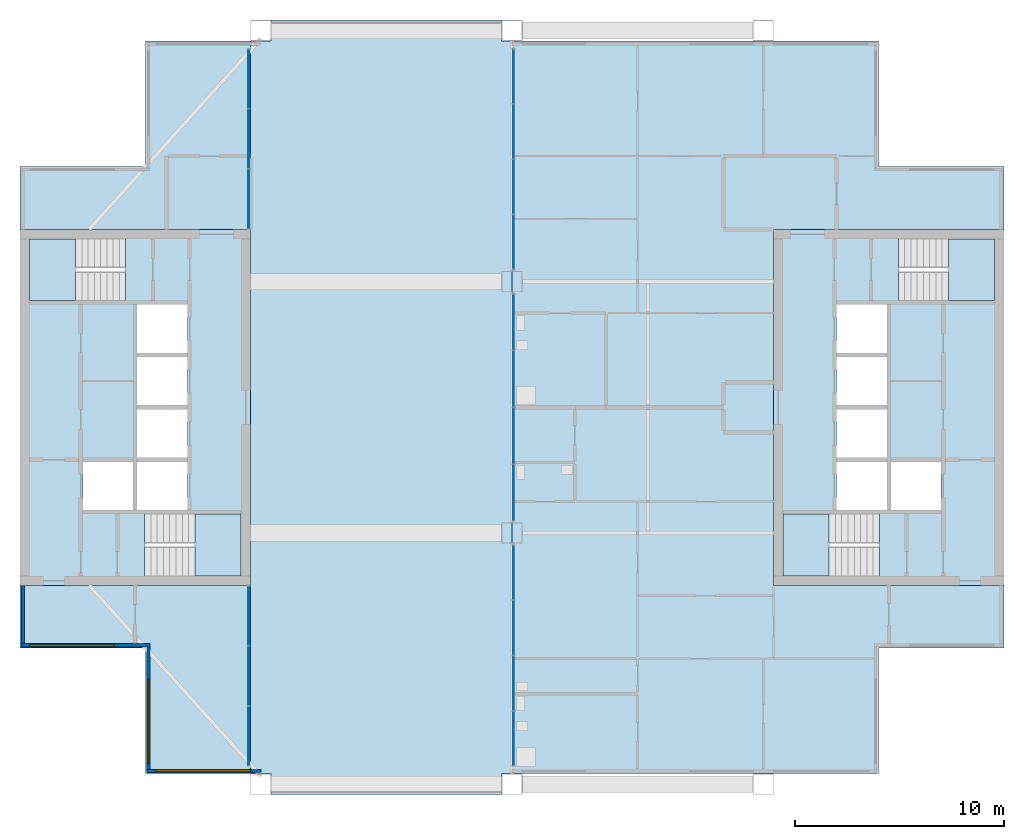
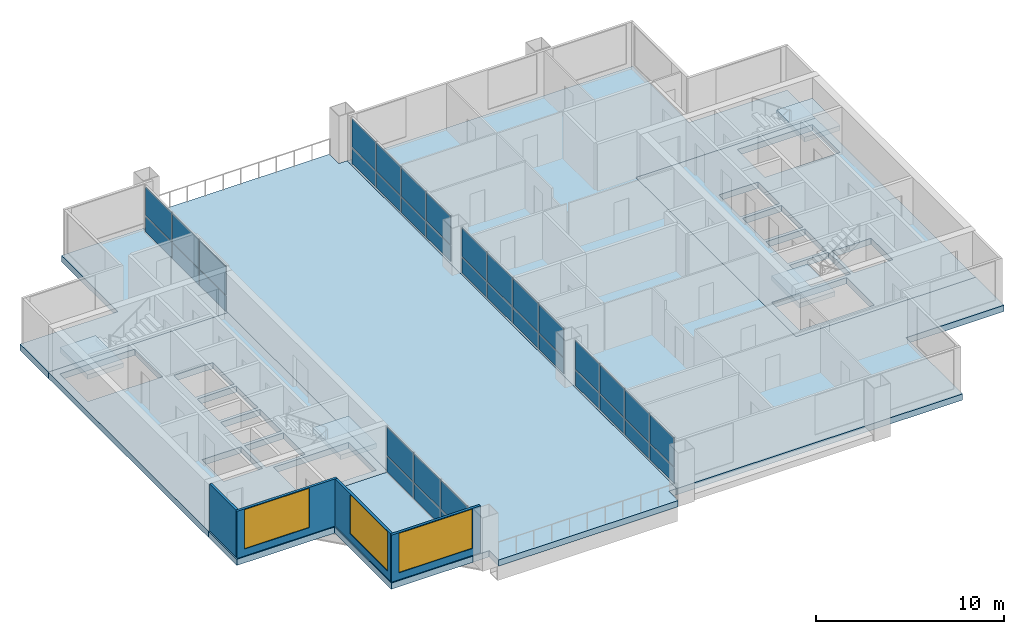
# One storey, part 6 of 12: 36 plates, 10 slabs, 4 walls, 3 windows, 3 openings, 9 elements without a shape of their own.
"""IFC4 building model written with IfcOpenShell, lengths in metres."""

from ifc_helpers import new_model, si_unit, direction, frame, frame_2d, origin, origin_2d, place, context, subcontext, project, spatial, polyline, rectangle, outline, extrude, material, layer, layer_set, type_object, element, fill, aggregate, save


model = new_model("IFC4")

# Units and contexts
model_context = context("Model", 3, precision=1e-05, world=origin(), true_north=direction((0.0, 1.0)))
body_context = subcontext(model_context, "Body", "Model", "MODEL_VIEW")
ifc_project = project(units=[si_unit("LENGTHUNIT", "METRE"), si_unit("AREAUNIT", "SQUARE_METRE"), si_unit("VOLUMEUNIT", "CUBIC_METRE"), si_unit("PLANEANGLEUNIT", "RADIAN"), si_unit("MASSUNIT", "GRAM", prefix="KILO")], contexts=[model_context])

# Site, building, storey
site_placement = place(None, origin())
site = spatial("IfcSite", under=ifc_project, at=site_placement, CompositionType="ELEMENT")
building_placement = place(site_placement, origin())
building = spatial("IfcBuilding", under=site, at=building_placement, Name="Kitamizu Gate Tower and Museum", CompositionType="ELEMENT")
storey_placement = place(building_placement, frame((0.0, 0.0, 249.0)))
storey = spatial("IfcBuildingStorey", under=building, at=storey_placement, Name="L67", CompositionType="ELEMENT", Elevation=249.0)

# Slabs
ifc_material_1 = material(Name="Concrete Fc36", Category="concrete")
ifc_layer_1 = layer(ifc_material_1, 0.39990234375)
ifc_layer_set_1 = layer_set([ifc_layer_1], Name="Concrete Fc36")
slab_type_1 = type_object("IfcSlabType", Name="Core floor slab 400", PredefinedType="FLOOR", material=ifc_layer_set_1)
slab_1_placement = place(storey_placement, frame((0.0, 0.0, -0.39990234375)))
element("IfcSlab", 1, at=slab_1_placement, inside=storey, type_object=slab_type_1, Name="Core floor slab W", PredefinedType="FLOOR", context=body_context, shape_type="SweptSolid", body=[
    extrude(outline(polyline([(12.5, 21.5), (23.5, 21.5), (23.5, 38.5), (12.5, 38.5), (12.5, 21.5)]), holes=[polyline([(15.5, 25.10009765625), (17.89990234375, 25.10009765625), (17.89990234375, 27.39990234375), (15.5, 27.39990234375), (15.5, 25.10009765625)]), polyline([(18.10009765625, 25.10009765625), (20.5, 25.10009765625), (20.5, 27.39990234375), (18.10009765625, 27.39990234375), (18.10009765625, 25.10009765625)]), polyline([(18.10009765625, 27.60009765625), (20.5, 27.60009765625), (20.5, 29.89990234375), (18.10009765625, 29.89990234375), (18.10009765625, 27.60009765625)]), polyline([(18.10009765625, 30.10009765625), (20.5, 30.10009765625), (20.5, 32.39990234375), (18.10009765625, 32.39990234375), (18.10009765625, 30.10009765625)]), polyline([(18.10009765625, 32.60009765625), (20.5, 32.60009765625), (20.5, 34.89990234375), (18.10009765625, 34.89990234375), (18.10009765625, 32.60009765625)]), polyline([(18.45068359375, 21.949951171875), (23.050048828125, 21.949951171875), (23.050048828125, 24.89990234375), (18.45068359375, 24.89990234375), (18.45068359375, 21.949951171875)]), polyline([(12.949951171875, 35.10009765625), (17.54931640625, 35.10009765625), (17.54931640625, 38.050048828125), (12.949951171875, 38.050048828125), (12.949951171875, 35.10009765625)])]), origin(), (0.0, 0.0, 1.0), 0.39990234375),
])
slab_2_placement = place(storey_placement, frame((0.0, 0.0, -0.39990234375)))
element("IfcSlab", 2, at=slab_2_placement, inside=storey, type_object=slab_type_1, Name="Core floor slab E", PredefinedType="FLOOR", context=body_context, shape_type="SweptSolid", body=[
    extrude(outline(polyline([(48.5, 21.5), (59.5, 21.5), (59.5, 38.5), (48.5, 38.5), (48.5, 21.5)]), holes=[polyline([(54.10009765625, 25.10009765625), (56.5, 25.10009765625), (56.5, 27.39990234375), (54.10009765625, 27.39990234375), (54.10009765625, 25.10009765625)]), polyline([(51.5, 25.10009765625), (53.89990234375, 25.10009765625), (53.89990234375, 27.39990234375), (51.5, 27.39990234375), (51.5, 25.10009765625)]), polyline([(51.5, 27.60009765625), (53.89990234375, 27.60009765625), (53.89990234375, 29.89990234375), (51.5, 29.89990234375), (51.5, 27.60009765625)]), polyline([(51.5, 30.10009765625), (53.89990234375, 30.10009765625), (53.89990234375, 32.39990234375), (51.5, 32.39990234375), (51.5, 30.10009765625)]), polyline([(51.5, 32.60009765625), (53.89990234375, 32.60009765625), (53.89990234375, 34.89990234375), (51.5, 34.89990234375), (51.5, 32.60009765625)]), polyline([(48.949951171875, 21.949951171875), (53.54931640625, 21.949951171875), (53.54931640625, 24.89990234375), (48.949951171875, 24.89990234375), (48.949951171875, 21.949951171875)]), polyline([(54.45068359375, 35.10009765625), (59.050048828125, 35.10009765625), (59.050048828125, 38.050048828125), (54.45068359375, 38.050048828125), (54.45068359375, 35.10009765625)])]), origin(), (0.0, 0.0, 1.0), 0.39990234375),
])

# Curtain wall, plates
ifc_material_2 = material(Name="Bronze anodised aluminium frame, tinted triple glazing", Category="aluminium")
curtain_wall_type = type_object("IfcCurtainWallType", Name="CURTAIN WALL TYPE C SKY AMENITY", PredefinedType="NOTDEFINED", material=ifc_material_2)
curtain_wall_1_placement = place(storey_placement, origin())
curtain_wall_1 = element("IfcCurtainWall", 3, at=curtain_wall_1_placement, inside=storey, type_object=curtain_wall_type, Name="Curtain wall CW-C portal W L67", PredefinedType="NOTDEFINED")
ifc_material_3 = material(Name="Tinted insulating glass", Category="glass")
ifc_layer_2 = layer(ifc_material_3, 0.031982421875)
ifc_layer_set_2 = layer_set([ifc_layer_2], Name="Tinted insulating glass")
plate_type = type_object("IfcPlateType", Name="GLASS PANEL 32 TYPE C", PredefinedType="CURTAIN_PANEL", material=ifc_layer_set_2)
plate_1_placement = place(storey_placement, frame((23.425048828125, 14.306640625, 0.06005859375), z_axis=(0.0, 0.0, 1.0), x_axis=(0.0, 1.0, 0.0)))
plate_1 = element("IfcPlate", 4, at=plate_1_placement, type_object=plate_type, Name="CW-C panel 1.1", PredefinedType="CURTAIN_PANEL", context=body_context, shape_type="SweptSolid", body=[
    extrude(rectangle(XDim=2.793212890625, YDim=0.031982421875, at=origin_2d()), origin(), (0.0, 0.0, 1.0), 1.010009765625),
])
plate_2_placement = place(storey_placement, frame((23.425048828125, 14.306640625, 1.1298828125), z_axis=(0.0, 0.0, 1.0), x_axis=(0.0, 1.0, 0.0)))
plate_2 = element("IfcPlate", 5, at=plate_2_placement, type_object=plate_type, Name="CW-C panel 1.2", PredefinedType="CURTAIN_PANEL", context=body_context, shape_type="SweptSolid", body=[
    extrude(rectangle(XDim=2.793212890625, YDim=0.031982421875, at=origin_2d()), origin(), (0.0, 0.0, 1.0), 1.860107421875),
])
plate_3_placement = place(storey_placement, frame((23.425048828125, 17.175048828125, 0.06005859375), z_axis=(0.0, 0.0, 1.0), x_axis=(0.0, 1.0, 0.0)))
plate_3 = element("IfcPlate", 6, at=plate_3_placement, type_object=plate_type, Name="CW-C panel 2.1", PredefinedType="CURTAIN_PANEL", context=body_context, shape_type="SweptSolid", body=[
    extrude(rectangle(XDim=2.8232421875, YDim=0.031982421875, at=origin_2d()), origin(), (0.0, 0.0, 1.0), 1.010009765625),
])
plate_4_placement = place(storey_placement, frame((23.425048828125, 17.175048828125, 1.1298828125), z_axis=(0.0, 0.0, 1.0), x_axis=(0.0, 1.0, 0.0)))
plate_4 = element("IfcPlate", 7, at=plate_4_placement, type_object=plate_type, Name="CW-C panel 2.2", PredefinedType="CURTAIN_PANEL", context=body_context, shape_type="SweptSolid", body=[
    extrude(rectangle(XDim=2.8232421875, YDim=0.031982421875, at=origin_2d()), origin(), (0.0, 0.0, 1.0), 1.860107421875),
])
plate_5_placement = place(storey_placement, frame((23.425048828125, 20.043212890625, 0.06005859375), z_axis=(0.0, 0.0, 1.0), x_axis=(0.0, 1.0, 0.0)))
plate_5 = element("IfcPlate", 8, at=plate_5_placement, type_object=plate_type, Name="CW-C panel 3.1", PredefinedType="CURTAIN_PANEL", context=body_context, shape_type="SweptSolid", body=[
    extrude(rectangle(XDim=2.793212890625, YDim=0.031982421875, at=origin_2d()), origin(), (0.0, 0.0, 1.0), 1.010009765625),
])
plate_6_placement = place(storey_placement, frame((23.425048828125, 20.043212890625, 1.1298828125), z_axis=(0.0, 0.0, 1.0), x_axis=(0.0, 1.0, 0.0)))
plate_6 = element("IfcPlate", 9, at=plate_6_placement, type_object=plate_type, Name="CW-C panel 3.2", PredefinedType="CURTAIN_PANEL", context=body_context, shape_type="SweptSolid", body=[
    extrude(rectangle(XDim=2.793212890625, YDim=0.031982421875, at=origin_2d()), origin(), (0.0, 0.0, 1.0), 1.860107421875),
])
aggregate(curtain_wall_1, [plate_1, plate_2, plate_3, plate_4, plate_5, plate_6])

curtain_wall_2_placement = place(storey_placement, origin())
curtain_wall_2 = element("IfcCurtainWall", 10, at=curtain_wall_2_placement, inside=storey, type_object=curtain_wall_type, Name="Curtain wall CW-C portal W L67", PredefinedType="NOTDEFINED")
plate_7_placement = place(storey_placement, frame((23.425048828125, 39.956787109375, 0.06005859375), z_axis=(0.0, 0.0, 1.0), x_axis=(0.0, 1.0, 0.0)))
plate_7 = element("IfcPlate", 11, at=plate_7_placement, type_object=plate_type, Name="CW-C panel 1.1", PredefinedType="CURTAIN_PANEL", context=body_context, shape_type="SweptSolid", body=[
    extrude(rectangle(XDim=2.793212890625, YDim=0.031982421875, at=origin_2d()), origin(), (0.0, 0.0, 1.0), 1.010009765625),
])
plate_8_placement = place(storey_placement, frame((23.425048828125, 39.956787109375, 1.1298828125), z_axis=(0.0, 0.0, 1.0), x_axis=(0.0, 1.0, 0.0)))
plate_8 = element("IfcPlate", 12, at=plate_8_placement, type_object=plate_type, Name="CW-C panel 1.2", PredefinedType="CURTAIN_PANEL", context=body_context, shape_type="SweptSolid", body=[
    extrude(rectangle(XDim=2.793212890625, YDim=0.031982421875, at=origin_2d()), origin(), (0.0, 0.0, 1.0), 1.860107421875),
])
plate_9_placement = place(storey_placement, frame((23.425048828125, 42.824951171875, 0.06005859375), z_axis=(0.0, 0.0, 1.0), x_axis=(0.0, 1.0, 0.0)))
plate_9 = element("IfcPlate", 13, at=plate_9_placement, type_object=plate_type, Name="CW-C panel 2.1", PredefinedType="CURTAIN_PANEL", context=body_context, shape_type="SweptSolid", body=[
    extrude(rectangle(XDim=2.8232421875, YDim=0.031982421875, at=origin_2d()), origin(), (0.0, 0.0, 1.0), 1.010009765625),
])
plate_10_placement = place(storey_placement, frame((23.425048828125, 42.824951171875, 1.1298828125), z_axis=(0.0, 0.0, 1.0), x_axis=(0.0, 1.0, 0.0)))
plate_10 = element("IfcPlate", 14, at=plate_10_placement, type_object=plate_type, Name="CW-C panel 2.2", PredefinedType="CURTAIN_PANEL", context=body_context, shape_type="SweptSolid", body=[
    extrude(rectangle(XDim=2.8232421875, YDim=0.031982421875, at=origin_2d()), origin(), (0.0, 0.0, 1.0), 1.860107421875),
])
plate_11_placement = place(storey_placement, frame((23.425048828125, 45.693359375, 0.06005859375), z_axis=(0.0, 0.0, 1.0), x_axis=(0.0, 1.0, 0.0)))
plate_11 = element("IfcPlate", 15, at=plate_11_placement, type_object=plate_type, Name="CW-C panel 3.1", PredefinedType="CURTAIN_PANEL", context=body_context, shape_type="SweptSolid", body=[
    extrude(rectangle(XDim=2.793212890625, YDim=0.031982421875, at=origin_2d()), origin(), (0.0, 0.0, 1.0), 1.010009765625),
])
plate_12_placement = place(storey_placement, frame((23.425048828125, 45.693359375, 1.1298828125), z_axis=(0.0, 0.0, 1.0), x_axis=(0.0, 1.0, 0.0)))
plate_12 = element("IfcPlate", 16, at=plate_12_placement, type_object=plate_type, Name="CW-C panel 3.2", PredefinedType="CURTAIN_PANEL", context=body_context, shape_type="SweptSolid", body=[
    extrude(rectangle(XDim=2.793212890625, YDim=0.031982421875, at=origin_2d()), origin(), (0.0, 0.0, 1.0), 1.860107421875),
])
aggregate(curtain_wall_2, [plate_7, plate_8, plate_9, plate_10, plate_11, plate_12])

curtain_wall_3_placement = place(storey_placement, origin())
curtain_wall_3 = element("IfcCurtainWall", 17, at=curtain_wall_3_placement, inside=storey, type_object=curtain_wall_type, Name="Curtain wall CW-C portal E L67", PredefinedType="NOTDEFINED")
plate_13_placement = place(storey_placement, frame((36.074951171875, 14.189453125, 0.06005859375), z_axis=(0.0, 0.0, 1.0), x_axis=(0.0, 1.0, 0.0)))
plate_13 = element("IfcPlate", 18, at=plate_13_placement, type_object=plate_type, Name="CW-C panel 1.1", PredefinedType="CURTAIN_PANEL", context=body_context, shape_type="SweptSolid", body=[
    extrude(rectangle(XDim=2.558837890625, YDim=0.031982421875, at=origin_2d()), origin(), (0.0, 0.0, 1.0), 1.010009765625),
])
plate_14_placement = place(storey_placement, frame((36.074951171875, 14.189453125, 1.1298828125), z_axis=(0.0, 0.0, 1.0), x_axis=(0.0, 1.0, 0.0)))
plate_14 = element("IfcPlate", 19, at=plate_14_placement, type_object=plate_type, Name="CW-C panel 1.2", PredefinedType="CURTAIN_PANEL", context=body_context, shape_type="SweptSolid", body=[
    extrude(rectangle(XDim=2.558837890625, YDim=0.031982421875, at=origin_2d()), origin(), (0.0, 0.0, 1.0), 1.860107421875),
])
plate_15_placement = place(storey_placement, frame((36.074951171875, 16.8232421875, 0.06005859375), z_axis=(0.0, 0.0, 1.0), x_axis=(0.0, 1.0, 0.0)))
plate_15 = element("IfcPlate", 20, at=plate_15_placement, type_object=plate_type, Name="CW-C panel 2.1", PredefinedType="CURTAIN_PANEL", context=body_context, shape_type="SweptSolid", body=[
    extrude(rectangle(XDim=2.5888671875, YDim=0.031982421875, at=origin_2d()), origin(), (0.0, 0.0, 1.0), 1.010009765625),
])
plate_16_placement = place(storey_placement, frame((36.074951171875, 16.8232421875, 1.1298828125), z_axis=(0.0, 0.0, 1.0), x_axis=(0.0, 1.0, 0.0)))
plate_16 = element("IfcPlate", 21, at=plate_16_placement, type_object=plate_type, Name="CW-C panel 2.2", PredefinedType="CURTAIN_PANEL", context=body_context, shape_type="SweptSolid", body=[
    extrude(rectangle(XDim=2.5888671875, YDim=0.031982421875, at=origin_2d()), origin(), (0.0, 0.0, 1.0), 1.860107421875),
])
plate_17_placement = place(storey_placement, frame((36.074951171875, 19.471923828125, 0.06005859375), z_axis=(0.0, 0.0, 1.0), x_axis=(0.0, 1.0, 0.0)))
plate_17 = element("IfcPlate", 22, at=plate_17_placement, type_object=plate_type, Name="CW-C panel 3.1", PredefinedType="CURTAIN_PANEL", context=body_context, shape_type="SweptSolid", body=[
    extrude(rectangle(XDim=2.5888671875, YDim=0.031982421875, at=origin_2d()), origin(), (0.0, 0.0, 1.0), 1.010009765625),
])
plate_18_placement = place(storey_placement, frame((36.074951171875, 19.471923828125, 1.1298828125), z_axis=(0.0, 0.0, 1.0), x_axis=(0.0, 1.0, 0.0)))
plate_18 = element("IfcPlate", 23, at=plate_18_placement, type_object=plate_type, Name="CW-C panel 3.2", PredefinedType="CURTAIN_PANEL", context=body_context, shape_type="SweptSolid", body=[
    extrude(rectangle(XDim=2.5888671875, YDim=0.031982421875, at=origin_2d()), origin(), (0.0, 0.0, 1.0), 1.860107421875),
])
plate_19_placement = place(storey_placement, frame((36.074951171875, 22.105712890625, 0.06005859375), z_axis=(0.0, 0.0, 1.0), x_axis=(0.0, 1.0, 0.0)))
plate_19 = element("IfcPlate", 24, at=plate_19_placement, type_object=plate_type, Name="CW-C panel 4.1", PredefinedType="CURTAIN_PANEL", context=body_context, shape_type="SweptSolid", body=[
    extrude(rectangle(XDim=2.558837890625, YDim=0.031982421875, at=origin_2d()), origin(), (0.0, 0.0, 1.0), 1.010009765625),
])
plate_20_placement = place(storey_placement, frame((36.074951171875, 22.105712890625, 1.1298828125), z_axis=(0.0, 0.0, 1.0), x_axis=(0.0, 1.0, 0.0)))
plate_20 = element("IfcPlate", 25, at=plate_20_placement, type_object=plate_type, Name="CW-C panel 4.2", PredefinedType="CURTAIN_PANEL", context=body_context, shape_type="SweptSolid", body=[
    extrude(rectangle(XDim=2.558837890625, YDim=0.031982421875, at=origin_2d()), origin(), (0.0, 0.0, 1.0), 1.860107421875),
])
aggregate(curtain_wall_3, [plate_13, plate_14, plate_15, plate_16, plate_17, plate_18, plate_19, plate_20])

curtain_wall_4_placement = place(storey_placement, origin())
curtain_wall_4 = element("IfcCurtainWall", 26, at=curtain_wall_4_placement, inside=storey, type_object=curtain_wall_type, Name="Curtain wall CW-C portal E L67", PredefinedType="NOTDEFINED")
plate_21_placement = place(storey_placement, frame((36.074951171875, 25.93115234375, 0.06005859375), z_axis=(0.0, 0.0, 1.0), x_axis=(0.0, 1.0, 0.0)))
plate_21 = element("IfcPlate", 27, at=plate_21_placement, type_object=plate_type, Name="CW-C panel 1.1", PredefinedType="CURTAIN_PANEL", context=body_context, shape_type="SweptSolid", body=[
    extrude(rectangle(XDim=2.632568359375, YDim=0.031982421875, at=origin_2d()), origin(), (0.0, 0.0, 1.0), 1.010009765625),
])
plate_22_placement = place(storey_placement, frame((36.074951171875, 25.93115234375, 1.1298828125), z_axis=(0.0, 0.0, 1.0), x_axis=(0.0, 1.0, 0.0)))
plate_22 = element("IfcPlate", 28, at=plate_22_placement, type_object=plate_type, Name="CW-C panel 1.2", PredefinedType="CURTAIN_PANEL", context=body_context, shape_type="SweptSolid", body=[
    extrude(rectangle(XDim=2.632568359375, YDim=0.031982421875, at=origin_2d()), origin(), (0.0, 0.0, 1.0), 1.860107421875),
])
plate_23_placement = place(storey_placement, frame((36.074951171875, 28.638671875, 0.06005859375), z_axis=(0.0, 0.0, 1.0), x_axis=(0.0, 1.0, 0.0)))
plate_23 = element("IfcPlate", 29, at=plate_23_placement, type_object=plate_type, Name="CW-C panel 2.1", PredefinedType="CURTAIN_PANEL", context=body_context, shape_type="SweptSolid", body=[
    extrude(rectangle(XDim=2.66259765625, YDim=0.031982421875, at=origin_2d()), origin(), (0.0, 0.0, 1.0), 1.010009765625),
])
plate_24_placement = place(storey_placement, frame((36.074951171875, 28.638671875, 1.1298828125), z_axis=(0.0, 0.0, 1.0), x_axis=(0.0, 1.0, 0.0)))
plate_24 = element("IfcPlate", 30, at=plate_24_placement, type_object=plate_type, Name="CW-C panel 2.2", PredefinedType="CURTAIN_PANEL", context=body_context, shape_type="SweptSolid", body=[
    extrude(rectangle(XDim=2.66259765625, YDim=0.031982421875, at=origin_2d()), origin(), (0.0, 0.0, 1.0), 1.860107421875),
])
plate_25_placement = place(storey_placement, frame((36.074951171875, 31.361328125, 0.06005859375), z_axis=(0.0, 0.0, 1.0), x_axis=(0.0, 1.0, 0.0)))
plate_25 = element("IfcPlate", 31, at=plate_25_placement, type_object=plate_type, Name="CW-C panel 3.1", PredefinedType="CURTAIN_PANEL", context=body_context, shape_type="SweptSolid", body=[
    extrude(rectangle(XDim=2.66259765625, YDim=0.031982421875, at=origin_2d()), origin(), (0.0, 0.0, 1.0), 1.010009765625),
])
plate_26_placement = place(storey_placement, frame((36.074951171875, 31.361328125, 1.1298828125), z_axis=(0.0, 0.0, 1.0), x_axis=(0.0, 1.0, 0.0)))
plate_26 = element("IfcPlate", 32, at=plate_26_placement, type_object=plate_type, Name="CW-C panel 3.2", PredefinedType="CURTAIN_PANEL", context=body_context, shape_type="SweptSolid", body=[
    extrude(rectangle(XDim=2.66259765625, YDim=0.031982421875, at=origin_2d()), origin(), (0.0, 0.0, 1.0), 1.860107421875),
])
plate_27_placement = place(storey_placement, frame((36.074951171875, 34.06884765625, 0.06005859375), z_axis=(0.0, 0.0, 1.0), x_axis=(0.0, 1.0, 0.0)))
plate_27 = element("IfcPlate", 33, at=plate_27_placement, type_object=plate_type, Name="CW-C panel 4.1", PredefinedType="CURTAIN_PANEL", context=body_context, shape_type="SweptSolid", body=[
    extrude(rectangle(XDim=2.632568359375, YDim=0.031982421875, at=origin_2d()), origin(), (0.0, 0.0, 1.0), 1.010009765625),
])
plate_28_placement = place(storey_placement, frame((36.074951171875, 34.06884765625, 1.1298828125), z_axis=(0.0, 0.0, 1.0), x_axis=(0.0, 1.0, 0.0)))
plate_28 = element("IfcPlate", 34, at=plate_28_placement, type_object=plate_type, Name="CW-C panel 4.2", PredefinedType="CURTAIN_PANEL", context=body_context, shape_type="SweptSolid", body=[
    extrude(rectangle(XDim=2.632568359375, YDim=0.031982421875, at=origin_2d()), origin(), (0.0, 0.0, 1.0), 1.860107421875),
])
aggregate(curtain_wall_4, [plate_21, plate_22, plate_23, plate_24, plate_25, plate_26, plate_27, plate_28])

curtain_wall_5_placement = place(storey_placement, origin())
curtain_wall_5 = element("IfcCurtainWall", 35, at=curtain_wall_5_placement, inside=storey, type_object=curtain_wall_type, Name="Curtain wall CW-C portal E L67", PredefinedType="NOTDEFINED")
plate_29_placement = place(storey_placement, frame((36.074951171875, 37.894287109375, 0.06005859375), z_axis=(0.0, 0.0, 1.0), x_axis=(0.0, 1.0, 0.0)))
plate_29 = element("IfcPlate", 36, at=plate_29_placement, type_object=plate_type, Name="CW-C panel 1.1", PredefinedType="CURTAIN_PANEL", context=body_context, shape_type="SweptSolid", body=[
    extrude(rectangle(XDim=2.558837890625, YDim=0.031982421875, at=origin_2d()), origin(), (0.0, 0.0, 1.0), 1.010009765625),
])
plate_30_placement = place(storey_placement, frame((36.074951171875, 37.894287109375, 1.1298828125), z_axis=(0.0, 0.0, 1.0), x_axis=(0.0, 1.0, 0.0)))
plate_30 = element("IfcPlate", 37, at=plate_30_placement, type_object=plate_type, Name="CW-C panel 1.2", PredefinedType="CURTAIN_PANEL", context=body_context, shape_type="SweptSolid", body=[
    extrude(rectangle(XDim=2.558837890625, YDim=0.031982421875, at=origin_2d()), origin(), (0.0, 0.0, 1.0), 1.860107421875),
])
plate_31_placement = place(storey_placement, frame((36.074951171875, 40.528076171875, 0.06005859375), z_axis=(0.0, 0.0, 1.0), x_axis=(0.0, 1.0, 0.0)))
plate_31 = element("IfcPlate", 38, at=plate_31_placement, type_object=plate_type, Name="CW-C panel 2.1", PredefinedType="CURTAIN_PANEL", context=body_context, shape_type="SweptSolid", body=[
    extrude(rectangle(XDim=2.5888671875, YDim=0.031982421875, at=origin_2d()), origin(), (0.0, 0.0, 1.0), 1.010009765625),
])
plate_32_placement = place(storey_placement, frame((36.074951171875, 40.528076171875, 1.1298828125), z_axis=(0.0, 0.0, 1.0), x_axis=(0.0, 1.0, 0.0)))
plate_32 = element("IfcPlate", 39, at=plate_32_placement, type_object=plate_type, Name="CW-C panel 2.2", PredefinedType="CURTAIN_PANEL", context=body_context, shape_type="SweptSolid", body=[
    extrude(rectangle(XDim=2.5888671875, YDim=0.031982421875, at=origin_2d()), origin(), (0.0, 0.0, 1.0), 1.860107421875),
])
plate_33_placement = place(storey_placement, frame((36.074951171875, 43.1767578125, 0.06005859375), z_axis=(0.0, 0.0, 1.0), x_axis=(0.0, 1.0, 0.0)))
plate_33 = element("IfcPlate", 40, at=plate_33_placement, type_object=plate_type, Name="CW-C panel 3.1", PredefinedType="CURTAIN_PANEL", context=body_context, shape_type="SweptSolid", body=[
    extrude(rectangle(XDim=2.5888671875, YDim=0.031982421875, at=origin_2d()), origin(), (0.0, 0.0, 1.0), 1.010009765625),
])
plate_34_placement = place(storey_placement, frame((36.074951171875, 43.1767578125, 1.1298828125), z_axis=(0.0, 0.0, 1.0), x_axis=(0.0, 1.0, 0.0)))
plate_34 = element("IfcPlate", 41, at=plate_34_placement, type_object=plate_type, Name="CW-C panel 3.2", PredefinedType="CURTAIN_PANEL", context=body_context, shape_type="SweptSolid", body=[
    extrude(rectangle(XDim=2.5888671875, YDim=0.031982421875, at=origin_2d()), origin(), (0.0, 0.0, 1.0), 1.860107421875),
])
plate_35_placement = place(storey_placement, frame((36.074951171875, 45.810546875, 0.06005859375), z_axis=(0.0, 0.0, 1.0), x_axis=(0.0, 1.0, 0.0)))
plate_35 = element("IfcPlate", 42, at=plate_35_placement, type_object=plate_type, Name="CW-C panel 4.1", PredefinedType="CURTAIN_PANEL", context=body_context, shape_type="SweptSolid", body=[
    extrude(rectangle(XDim=2.558837890625, YDim=0.031982421875, at=origin_2d()), origin(), (0.0, 0.0, 1.0), 1.010009765625),
])
plate_36_placement = place(storey_placement, frame((36.074951171875, 45.810546875, 1.1298828125), z_axis=(0.0, 0.0, 1.0), x_axis=(0.0, 1.0, 0.0)))
plate_36 = element("IfcPlate", 43, at=plate_36_placement, type_object=plate_type, Name="CW-C panel 4.2", PredefinedType="CURTAIN_PANEL", context=body_context, shape_type="SweptSolid", body=[
    extrude(rectangle(XDim=2.558837890625, YDim=0.031982421875, at=origin_2d()), origin(), (0.0, 0.0, 1.0), 1.860107421875),
])
aggregate(curtain_wall_5, [plate_29, plate_30, plate_31, plate_32, plate_33, plate_34, plate_35, plate_36])

# Slabs
ifc_material_4 = material(Name="Concrete Fc36", Category="concrete")
ifc_layer_3 = layer(ifc_material_4, 0.39990234375)
ifc_layer_set_3 = layer_set([ifc_layer_3], Name="Concrete Fc36")
slab_type_2 = type_object("IfcSlabType", Name="Portal deck slab 400", PredefinedType="FLOOR", material=ifc_layer_set_3)
slab_3_placement = place(storey_placement, frame((0.0, 0.0, -0.39990234375)))
element("IfcSlab", 44, at=slab_3_placement, inside=storey, type_object=slab_type_2, Name="Portal deck slab L67", PredefinedType="FLOOR", context=body_context, shape_type="SweptSolid", body=[
    extrude(outline(polyline([(35.5, 11.5), (24.5, 11.5), (24.5, 12.5), (23.5, 12.5), (23.5, 47.5), (24.5, 47.5), (24.5, 48.5), (35.5, 48.5), (35.5, 47.5), (36.0, 47.5), (36.0, 12.5), (35.5, 12.5), (35.5, 11.5)])), origin(), (0.0, 0.0, 1.0), 0.39990234375),
])
ifc_material_5 = material(Name="Concrete Fc36", Category="concrete")
ifc_layer_4 = layer(ifc_material_5, 0.39990234375)
ifc_layer_set_4 = layer_set([ifc_layer_4], Name="Concrete Fc36")
slab_type_3 = type_object("IfcSlabType", Name="Post tensioned flat slab 400", PredefinedType="FLOOR", material=ifc_layer_set_4)
slab_4_placement = place(storey_placement, frame((0.0, 0.0, -0.39990234375)))
element("IfcSlab", 45, at=slab_4_placement, inside=storey, type_object=slab_type_3, Name="Floor slab L67-1", PredefinedType="FLOOR", context=body_context, shape_type="SweptSolid", body=[
    extrude(outline(polyline([(12.5, 21.5), (23.5, 21.5), (23.5, 12.5), (18.5, 12.5), (18.5, 18.5), (12.5, 18.5), (12.5, 21.5)])), origin(), (0.0, 0.0, 1.0), 0.39990234375),
])
slab_5_placement = place(storey_placement, frame((0.0, 0.0, -0.39990234375)))
element("IfcSlab", 46, at=slab_5_placement, inside=storey, type_object=slab_type_3, Name="Floor slab L67-2", PredefinedType="FLOOR", context=body_context, shape_type="SweptSolid", body=[
    extrude(outline(polyline([(53.5, 47.5), (53.5, 41.5), (59.5, 41.5), (59.5, 38.5), (48.5, 38.5), (48.5, 21.5), (59.5, 21.5), (59.5, 18.5), (53.5, 18.5), (53.5, 12.5), (36.0, 12.5), (36.0, 47.5), (53.5, 47.5)])), origin(), (0.0, 0.0, 1.0), 0.39990234375),
])
slab_6_placement = place(storey_placement, frame((0.0, 0.0, -0.39990234375)))
element("IfcSlab", 47, at=slab_6_placement, inside=storey, type_object=slab_type_3, Name="Floor slab L67-3", PredefinedType="FLOOR", context=body_context, shape_type="SweptSolid", body=[
    extrude(outline(polyline([(12.5, 38.5), (12.5, 41.5), (18.5, 41.5), (18.5, 47.5), (23.5, 47.5), (23.5, 38.5), (12.5, 38.5)])), origin(), (0.0, 0.0, 1.0), 0.39990234375),
])

# Stair, slab
ifc_material_6 = material(Name="Concrete Fc42", Category="concrete")
stair_type = type_object("IfcStairType", Name="Exit stair 1375 wide 192 rise 300 going", PredefinedType="HALF_TURN_STAIR", material=ifc_material_6)
stair_1_placement = place(storey_placement, origin())
stair_1 = element("IfcStair", 48, at=stair_1_placement, inside=storey, type_object=stair_type, Name="Exit stair ST1", PredefinedType="HALF_TURN_STAIR")
ifc_material_7 = material(Name="Concrete Fc42", Category="concrete")
ifc_layer_5 = layer(ifc_material_7, 0.300048828125)
ifc_layer_set_5 = layer_set([ifc_layer_5], Name="Concrete Fc42")
slab_type_4 = type_object("IfcSlabType", Name="Stair landing 300", PredefinedType="LANDING", material=ifc_layer_set_5)
slab_7_placement = place(storey_placement, frame((0.0, 0.0, 1.425048828125)))
slab_7 = element("IfcSlab", 49, at=slab_7_placement, type_object=slab_type_4, Name="ST1 landing 1", PredefinedType="LANDING", context=body_context, shape_type="SweptSolid", body=[
    extrude(outline(polyline([(20.85009765625, 21.949951171875), (23.050048828125, 21.949951171875), (23.050048828125, 24.89990234375), (20.85009765625, 24.89990234375), (20.85009765625, 21.949951171875)])), origin(), (0.0, 0.0, 1.0), 0.300048828125),
])
aggregate(stair_1, [slab_7])

stair_2_placement = place(storey_placement, origin())
stair_2 = element("IfcStair", 50, at=stair_2_placement, inside=storey, type_object=stair_type, Name="Exit stair ST2", PredefinedType="HALF_TURN_STAIR")
slab_8_placement = place(storey_placement, frame((0.0, 0.0, 1.425048828125)))
slab_8 = element("IfcSlab", 51, at=slab_8_placement, type_object=slab_type_4, Name="ST2 landing 1", PredefinedType="LANDING", context=body_context, shape_type="SweptSolid", body=[
    extrude(outline(polyline([(12.949951171875, 35.10009765625), (15.14990234375, 35.10009765625), (15.14990234375, 38.050048828125), (12.949951171875, 38.050048828125), (12.949951171875, 35.10009765625)])), origin(), (0.0, 0.0, 1.0), 0.300048828125),
])
aggregate(stair_2, [slab_8])

stair_3_placement = place(storey_placement, origin())
stair_3 = element("IfcStair", 52, at=stair_3_placement, inside=storey, type_object=stair_type, Name="Exit stair ST3", PredefinedType="HALF_TURN_STAIR")
slab_9_placement = place(storey_placement, frame((0.0, 0.0, 1.425048828125)))
slab_9 = element("IfcSlab", 53, at=slab_9_placement, type_object=slab_type_4, Name="ST3 landing 1", PredefinedType="LANDING", context=body_context, shape_type="SweptSolid", body=[
    extrude(outline(polyline([(48.949951171875, 21.949951171875), (51.14990234375, 21.949951171875), (51.14990234375, 24.89990234375), (48.949951171875, 24.89990234375), (48.949951171875, 21.949951171875)])), origin(), (0.0, 0.0, 1.0), 0.300048828125),
])
aggregate(stair_3, [slab_9])

stair_4_placement = place(storey_placement, origin())
stair_4 = element("IfcStair", 54, at=stair_4_placement, inside=storey, type_object=stair_type, Name="Exit stair ST4", PredefinedType="HALF_TURN_STAIR")
slab_10_placement = place(storey_placement, frame((0.0, 0.0, 1.425048828125)))
slab_10 = element("IfcSlab", 55, at=slab_10_placement, type_object=slab_type_4, Name="ST4 landing 1", PredefinedType="LANDING", context=body_context, shape_type="SweptSolid", body=[
    extrude(outline(polyline([(56.85009765625, 35.10009765625), (59.050048828125, 35.10009765625), (59.050048828125, 38.050048828125), (56.85009765625, 38.050048828125), (56.85009765625, 35.10009765625)])), origin(), (0.0, 0.0, 1.0), 0.300048828125),
])
aggregate(stair_4, [slab_10])

# Wall, opening, window
ifc_material_8 = material(Name="Bronze anodised aluminium frame with insulated spandrel and tinted glass", Category="aluminium")
ifc_layer_6 = layer(ifc_material_8, 0.14990234375)
ifc_layer_set_6 = layer_set([ifc_layer_6], Name="Bronze anodised aluminium frame with insulated spandrel and tinted glass")
wall_type = type_object("IfcWallType", Name="WINDOW WALL 150 BRONZE FRAME EI 30", PredefinedType="ELEMENTEDWALL", material=ifc_layer_set_6)
wall_1_placement = place(storey_placement, frame((18.56005859375, 12.635009765625, 0.0), z_axis=(0.0, 0.0, 1.0), x_axis=(1.0, 0.0, 0.0)))
wall_1 = element("IfcWall", 56, at=wall_1_placement, inside=storey, type_object=wall_type, Name="Window wall south L67", PredefinedType="ELEMENTEDWALL", context=body_context, shape_type="SweptSolid", body=[
    extrude(rectangle(XDim=5.43994140625, YDim=0.14990234375, at=frame_2d((2.719970703125, 0.0))), origin(), (0.0, 0.0, 1.0), 3.050048828125),
])
opening_1_placement = place(wall_1_placement, frame((0.43994140625, 0.0, 0.449951171875)))
opening_1 = element("IfcOpeningElement", 57, at=opening_1_placement, cuts=wall_1, Name="Opening W15", PredefinedType="OPENING", context=body_context, shape_type="SweptSolid", body=[
    extrude(rectangle(XDim=4.5, YDim=2.550048828125, at=frame_2d((2.25, 1.27490234375))), frame((0.0, 0.0849609375, 0.0), z_axis=(0.0, -1.0, 0.0), x_axis=(1.0, 0.0, 0.0)), (0.0, 0.0, 1.0), 0.169921875),
])
ifc_material_9 = material(Name="Bronze anodised aluminium frame, tinted triple glazing", Category="aluminium")
window_type_1 = type_object("IfcWindowType", Name="WINDOW 4500 x 2550 SILL 450", PartitioningType="SINGLE_PANEL", PredefinedType="WINDOW", material=ifc_material_9)
window_1_placement = place(opening_1_placement, origin())
window_1 = element("IfcWindow", 58, at=window_1_placement, inside=storey, type_object=window_type_1, Name="Window W15 L67", OverallHeight=2.550048828125, OverallWidth=4.5, PartitioningType="SINGLE_PANEL", PredefinedType="WINDOW", context=body_context, shape_type="SweptSolid", body=[
    extrude(rectangle(XDim=4.5, YDim=2.550048828125, at=frame_2d((2.25, 1.27490234375))), frame((0.0, 0.030029296875, 0.0), z_axis=(0.0, -1.0, 0.0), x_axis=(1.0, 0.0, 0.0)), (0.0, 0.0, 1.0), 0.06005859375),
])
fill(opening_1, window_1)

# Wall
wall_2_placement = place(storey_placement, frame((12.635009765625, 18.7099609375, 0.0), z_axis=(0.0, 0.0, 1.0), x_axis=(0.0, 1.0, 0.0)))
element("IfcWall", 59, at=wall_2_placement, inside=storey, type_object=wall_type, Name="Window wall west L67", PredefinedType="ELEMENTEDWALL", context=body_context, shape_type="SweptSolid", body=[
    extrude(rectangle(XDim=2.7900390625, YDim=0.14990234375, at=frame_2d((1.39501953125, 0.0))), origin(), (0.0, 0.0, 1.0), 3.050048828125),
])

# Wall, opening, window
wall_3_placement = place(storey_placement, frame((12.56005859375, 18.635009765625, 0.0), z_axis=(0.0, 0.0, 1.0), x_axis=(1.0, 0.0, 0.0)))
wall_3 = element("IfcWall", 60, at=wall_3_placement, inside=storey, type_object=wall_type, Name="Window wall south L67", PredefinedType="ELEMENTEDWALL", context=body_context, shape_type="SweptSolid", body=[
    extrude(rectangle(XDim=6.14990234375, YDim=0.14990234375, at=frame_2d((3.074951171875, 0.0))), origin(), (0.0, 0.0, 1.0), 3.050048828125),
])
opening_2_placement = place(wall_3_placement, frame((0.43994140625, 0.0, 0.449951171875)))
opening_2 = element("IfcOpeningElement", 61, at=opening_2_placement, cuts=wall_3, Name="Opening W16", PredefinedType="OPENING", context=body_context, shape_type="SweptSolid", body=[
    extrude(rectangle(XDim=4.0, YDim=2.550048828125, at=frame_2d((2.0, 1.27490234375))), frame((0.0, 0.0849609375, 0.0), z_axis=(0.0, -1.0, 0.0), x_axis=(1.0, 0.0, 0.0)), (0.0, 0.0, 1.0), 0.169921875),
])
ifc_material_10 = material(Name="Bronze anodised aluminium frame, tinted triple glazing", Category="aluminium")
window_type_2 = type_object("IfcWindowType", Name="WINDOW 4000 x 2550 SILL 450", PartitioningType="SINGLE_PANEL", PredefinedType="WINDOW", material=ifc_material_10)
window_2_placement = place(opening_2_placement, origin())
window_2 = element("IfcWindow", 62, at=window_2_placement, inside=storey, type_object=window_type_2, Name="Window W16 L67", OverallHeight=2.550048828125, OverallWidth=4.0, PartitioningType="SINGLE_PANEL", PredefinedType="WINDOW", context=body_context, shape_type="SweptSolid", body=[
    extrude(rectangle(XDim=4.0, YDim=2.550048828125, at=frame_2d((2.0, 1.27490234375))), frame((0.0, 0.030029296875, 0.0), z_axis=(0.0, -1.0, 0.0), x_axis=(1.0, 0.0, 0.0)), (0.0, 0.0, 1.0), 0.06005859375),
])
fill(opening_2, window_2)

wall_4_placement = place(storey_placement, frame((18.635009765625, 12.7099609375, 0.0), z_axis=(0.0, 0.0, 1.0), x_axis=(0.0, 1.0, 0.0)))
wall_4 = element("IfcWall", 63, at=wall_4_placement, inside=storey, type_object=wall_type, Name="Window wall west L67", PredefinedType="ELEMENTEDWALL", context=body_context, shape_type="SweptSolid", body=[
    extrude(rectangle(XDim=5.85009765625, YDim=0.14990234375, at=frame_2d((2.925048828125, 0.0))), origin(), (0.0, 0.0, 1.0), 3.050048828125),
])
opening_3_placement = place(wall_4_placement, frame((0.2900390625, 0.0, 0.449951171875)))
opening_3 = element("IfcOpeningElement", 64, at=opening_3_placement, cuts=wall_4, Name="Opening W16", PredefinedType="OPENING", context=body_context, shape_type="SweptSolid", body=[
    extrude(rectangle(XDim=4.0, YDim=2.550048828125, at=frame_2d((2.0, 1.27490234375))), frame((0.0, 0.0849609375, 0.0), z_axis=(0.0, -1.0, 0.0), x_axis=(1.0, 0.0, 0.0)), (0.0, 0.0, 1.0), 0.169921875),
])
window_3_placement = place(opening_3_placement, origin())
window_3 = element("IfcWindow", 65, at=window_3_placement, inside=storey, type_object=window_type_2, Name="Window W16 L67", OverallHeight=2.550048828125, OverallWidth=4.0, PartitioningType="SINGLE_PANEL", PredefinedType="WINDOW", context=body_context, shape_type="SweptSolid", body=[
    extrude(rectangle(XDim=4.0, YDim=2.550048828125, at=frame_2d((2.0, 1.27490234375))), frame((0.0, 0.030029296875, 0.0), z_axis=(0.0, -1.0, 0.0), x_axis=(1.0, 0.0, 0.0)), (0.0, 0.0, 1.0), 0.06005859375),
])
fill(opening_3, window_3)

save(model, "model.ifc")
